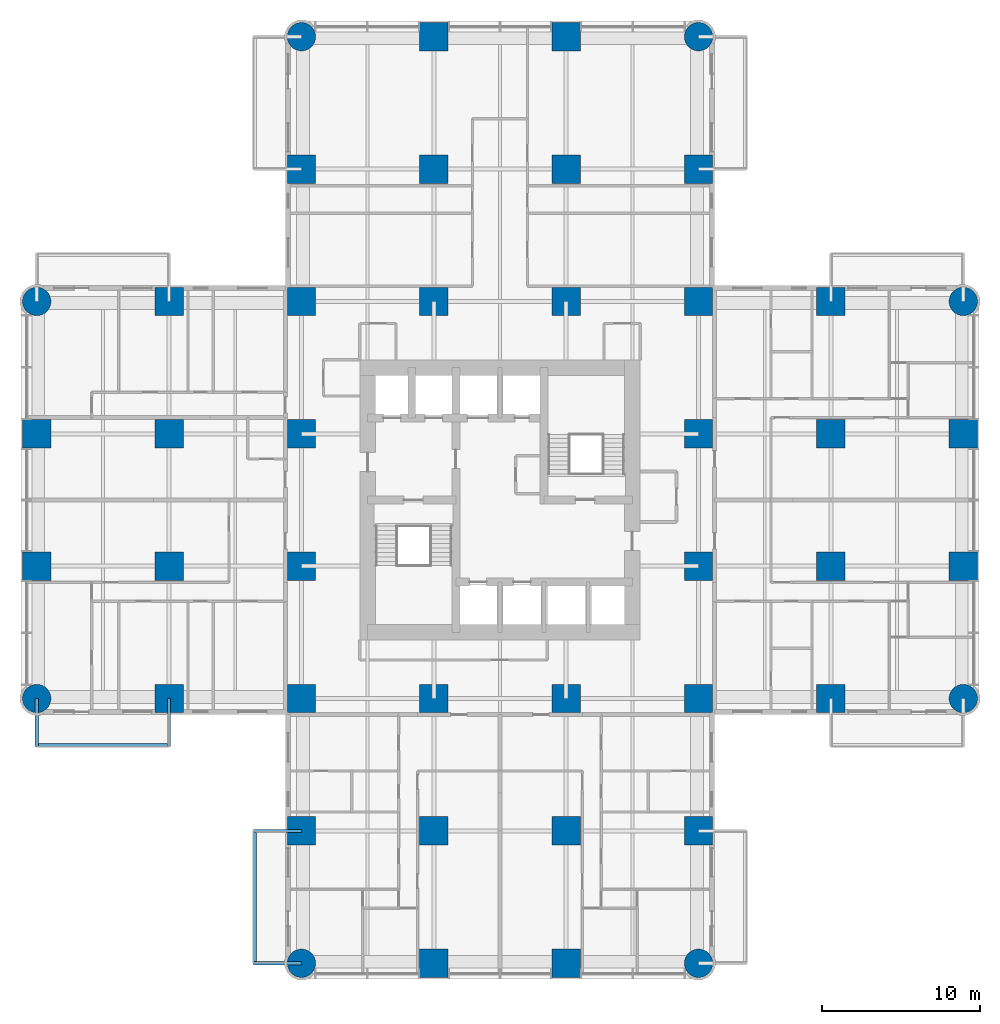
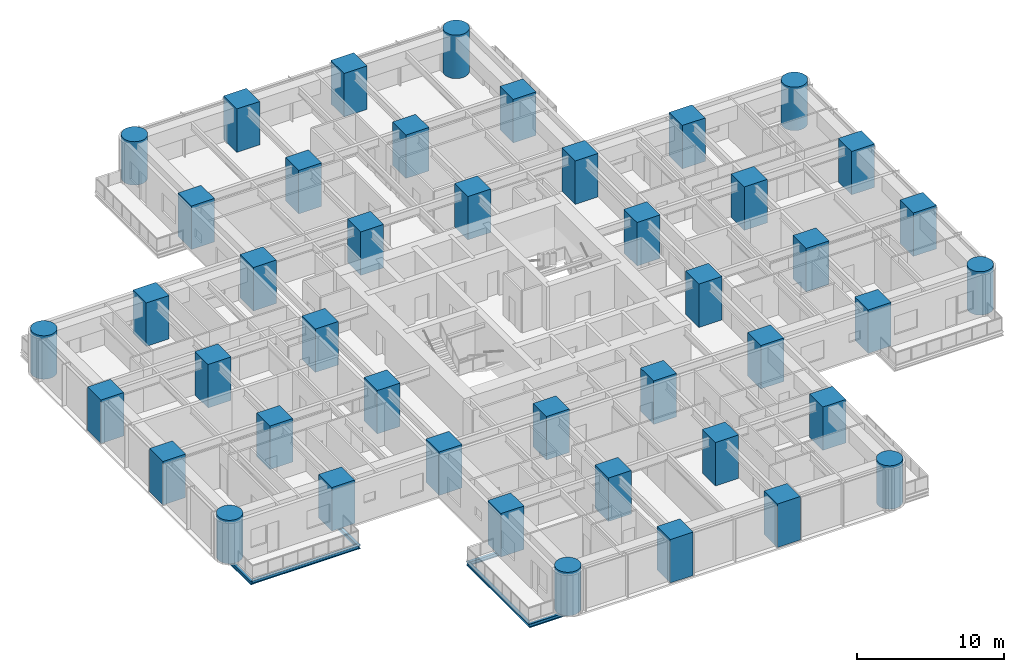
# One storey, part 1 of 17: 44 columns, 6 beams.
"""IFC4 building model written with IfcOpenShell, lengths in metres."""

from ifc_helpers import new_model, si_unit, direction, frame, origin, origin_2d, place, context, subcontext, project, spatial, rectangle, circle, i_section, extrude, material, material_profile, profile_set, type_object, element, save


model = new_model("IFC4")

# Units and contexts
model_context = context("Model", 3, precision=1e-05, world=origin(), true_north=direction((0.0, 1.0)))
body_context = subcontext(model_context, "Body", "Model", "MODEL_VIEW")
ifc_project = project(units=[si_unit("LENGTHUNIT", "METRE"), si_unit("AREAUNIT", "SQUARE_METRE"), si_unit("VOLUMEUNIT", "CUBIC_METRE"), si_unit("PLANEANGLEUNIT", "RADIAN"), si_unit("MASSUNIT", "GRAM", prefix="KILO")], contexts=[model_context])

# Site, building, storey
site_placement = place(None, origin())
site = spatial("IfcSite", under=ifc_project, at=site_placement, CompositionType="ELEMENT")
building_placement = place(site_placement, origin())
building = spatial("IfcBuilding", under=site, at=building_placement, Name="Torre Alcanfor", CompositionType="ELEMENT")
storey_placement = place(building_placement, frame((0.0, 0.0, 38.10009765625)))
storey = spatial("IfcBuildingStorey", under=building, at=storey_placement, Name="L08", CompositionType="ELEMENT", Elevation=38.10009765625)

# Columns
ifc_material_1 = material(Name="Concrete f'c 70 MPa", Category="concrete")
ifc_material_profile_1 = material_profile(ifc_material_1, rectangle(XDim=1.800048828125, YDim=1.800048828125, at=origin_2d()), Name="1800x1800")
ifc_profile_set_1 = profile_set([ifc_material_profile_1], Name="Concrete f'c 70 MPa")
column_type_1 = type_object("IfcColumnType", Name="RC column 1800x1800 f'c70", PredefinedType="COLUMN", material=ifc_profile_set_1)
for number, where, z_axis, x_axis, name in (
    (1, (0.0, 25.199951171875, 0.0), (0.0, 0.0, 1.0), (1.0, 0.0, 0.0), "Column 1/F L08"),
    (2, (0.0, 33.60009765625, 0.0), (0.0, 0.0, 1.0), (1.0, 0.0, 0.0), "Column 1/G L08"),
    (3, (8.39990234375, 16.800048828125, 0.0), (0.0, 0.0, 1.0), (1.0, 0.0, 0.0), "Column 2/E L08"),
    (4, (8.39990234375, 25.199951171875, 0.0), (0.0, 0.0, 1.0), (1.0, 0.0, 0.0), "Column 2/F L08"),
    (5, (8.39990234375, 33.60009765625, 0.0), (0.0, 0.0, 1.0), (1.0, 0.0, 0.0), "Column 2/G L08"),
    (6, (8.39990234375, 42.0, 0.0), (0.0, 0.0, 1.0), (1.0, 0.0, 0.0), "Column 2/H L08"),
    (7, (16.800048828125, 8.39990234375, 0.0), (0.0, 0.0, 1.0), (1.0, 0.0, 0.0), "Column 3/D L08"),
    (8, (16.800048828125, 16.800048828125, 0.0), (0.0, 0.0, 1.0), (1.0, 0.0, 0.0), "Column 3/E L08"),
    (9, (16.800048828125, 25.199951171875, 0.0), (0.0, 0.0, 1.0), (1.0, 0.0, 0.0), "Column 3/F L08"),
    (10, (16.800048828125, 33.60009765625, 0.0), (0.0, 0.0, 1.0), (1.0, 0.0, 0.0), "Column 3/G L08"),
    (11, (16.800048828125, 42.0, 0.0), (0.0, 0.0, 1.0), (1.0, 0.0, 0.0), "Column 3/H L08"),
    (12, (16.800048828125, 50.39990234375, 0.0), (0.0, 0.0, 1.0), (1.0, 0.0, 0.0), "Column 3/J L08"),
    (13, (25.199951171875, 0.0, 0.0), (0.0, 0.0, 1.0), (1.0, 0.0, 0.0), "Column 4/C L08"),
    (14, (25.199951171875, 8.39990234375, 0.0), (0.0, 0.0, 1.0), (1.0, 0.0, 0.0), "Column 4/D L08"),
    (15, (25.199951171875, 16.800048828125, 0.0), (0.0, 0.0, 1.0), (1.0, 0.0, 0.0), "Column 4/E L08"),
    (16, (25.199951171875, 42.0, 0.0), (0.0, 0.0, 1.0), (1.0, 0.0, 0.0), "Column 4/H L08"),
    (17, (25.199951171875, 50.39990234375, 0.0), (0.0, 0.0, 1.0), (1.0, 0.0, 0.0), "Column 4/J L08"),
    (18, (25.199951171875, 58.800048828125, 0.0), (0.0, 0.0, 1.0), (1.0, 0.0, 0.0), "Column 4/K L08"),
    (19, (33.60009765625, 0.0, 0.0), (0.0, 0.0, 1.0), (1.0, 0.0, 0.0), "Column 5/C L08"),
    (20, (33.60009765625, 8.39990234375, 0.0), (0.0, 0.0, 1.0), (1.0, 0.0, 0.0), "Column 5/D L08"),
    (21, (33.60009765625, 16.800048828125, 0.0), (0.0, 0.0, 1.0), (1.0, 0.0, 0.0), "Column 5/E L08"),
    (22, (33.60009765625, 42.0, 0.0), (0.0, 0.0, 1.0), (1.0, 0.0, 0.0), "Column 5/H L08"),
    (23, (33.60009765625, 50.39990234375, 0.0), (0.0, 0.0, 1.0), (1.0, 0.0, 0.0), "Column 5/J L08"),
    (24, (33.60009765625, 58.800048828125, 0.0), (0.0, 0.0, 1.0), (1.0, 0.0, 0.0), "Column 5/K L08"),
    (25, (42.0, 8.39990234375, 0.0), (0.0, 0.0, 1.0), (1.0, 0.0, 0.0), "Column 6/D L08"),
    (26, (42.0, 16.800048828125, 0.0), (0.0, 0.0, 1.0), (1.0, 0.0, 0.0), "Column 6/E L08"),
    (27, (42.0, 25.199951171875, 0.0), (0.0, 0.0, 1.0), (1.0, 0.0, 0.0), "Column 6/F L08"),
    (28, (42.0, 33.60009765625, 0.0), (0.0, 0.0, 1.0), (1.0, 0.0, 0.0), "Column 6/G L08"),
    (29, (42.0, 42.0, 0.0), (0.0, 0.0, 1.0), (1.0, 0.0, 0.0), "Column 6/H L08"),
    (30, (42.0, 50.39990234375, 0.0), (0.0, 0.0, 1.0), (1.0, 0.0, 0.0), "Column 6/J L08"),
    (31, (50.39990234375, 16.800048828125, 0.0), (0.0, 0.0, 1.0), (1.0, 0.0, 0.0), "Column 7/E L08"),
    (32, (50.39990234375, 25.199951171875, 0.0), (0.0, 0.0, 1.0), (1.0, 0.0, 0.0), "Column 7/F L08"),
    (33, (50.39990234375, 33.60009765625, 0.0), (0.0, 0.0, 1.0), (1.0, 0.0, 0.0), "Column 7/G L08"),
    (34, (50.39990234375, 42.0, 0.0), (0.0, 0.0, 1.0), (1.0, 0.0, 0.0), "Column 7/H L08"),
    (35, (58.800048828125, 25.199951171875, 0.0), (0.0, 0.0, 1.0), (1.0, 0.0, 0.0), "Column 8/F L08"),
    (36, (58.800048828125, 33.60009765625, 0.0), (0.0, 0.0, 1.0), (1.0, 0.0, 0.0), "Column 8/G L08"),
):
    element("IfcColumn", number, at=place(storey_placement, frame(where, z_axis=z_axis, x_axis=x_axis)), inside=storey, type_object=column_type_1, Name=name, PredefinedType="COLUMN", context=body_context, shape_type="SweptSolid", body=[
        extrude(rectangle(XDim=1.800048828125, YDim=1.800048828125, at=origin_2d()), origin(), (0.0, 0.0, 1.0), 3.599853515625),
    ])
ifc_material_2 = material(Name="Concrete f'c 70 MPa", Category="concrete")
ifc_material_profile_2 = material_profile(ifc_material_2, circle(Radius=0.89990234375, at=origin_2d()), Name="D1800")
ifc_profile_set_2 = profile_set([ifc_material_profile_2], Name="Concrete f'c 70 MPa")
column_type_2 = type_object("IfcColumnType", Name="RC column D1800 f'c70", PredefinedType="COLUMN", material=ifc_profile_set_2)
for number, where, z_axis, x_axis, name in (
    (37, (0.0, 16.800048828125, 0.0), (0.0, 0.0, 1.0), (1.0, 0.0, 0.0), "Column 1/E L08"),
    (38, (0.0, 42.0, 0.0), (0.0, 0.0, 1.0), (1.0, 0.0, 0.0), "Column 1/H L08"),
    (39, (16.800048828125, 0.0, 0.0), (0.0, 0.0, 1.0), (1.0, 0.0, 0.0), "Column 3/C L08"),
    (40, (16.800048828125, 58.800048828125, 0.0), (0.0, 0.0, 1.0), (1.0, 0.0, 0.0), "Column 3/K L08"),
    (41, (42.0, 0.0, 0.0), (0.0, 0.0, 1.0), (1.0, 0.0, 0.0), "Column 6/C L08"),
    (42, (42.0, 58.800048828125, 0.0), (0.0, 0.0, 1.0), (1.0, 0.0, 0.0), "Column 6/K L08"),
    (43, (58.800048828125, 16.800048828125, 0.0), (0.0, 0.0, 1.0), (1.0, 0.0, 0.0), "Column 8/E L08"),
    (44, (58.800048828125, 42.0, 0.0), (0.0, 0.0, 1.0), (1.0, 0.0, 0.0), "Column 8/H L08"),
):
    element("IfcColumn", number, at=place(storey_placement, frame(where, z_axis=z_axis, x_axis=x_axis)), inside=storey, type_object=column_type_2, Name=name, PredefinedType="COLUMN", context=body_context, shape_type="SweptSolid", body=[
        extrude(circle(Radius=0.89990234375, at=origin_2d()), origin(), (0.0, 0.0, 1.0), 3.599853515625),
    ])

# Beams
ifc_material_3 = material(Name="Steel ASTM A992 Grade 50", Category="steel")
ifc_material_profile_3 = material_profile(ifc_material_3, i_section(OverallWidth=0.205322265625, OverallDepth=0.309814453125, WebThickness=0.00927734375, FlangeThickness=0.016357421875, at=origin_2d()), Name="W12x50")
ifc_profile_set_3 = profile_set([ifc_material_profile_3], Name="Steel ASTM A992 Grade 50")
beam_type_1 = type_object("IfcBeamType", Name="Balcony cantilever beam W12x50", PredefinedType="BEAM", material=ifc_profile_set_3)
for number, where, z_axis, x_axis, name in (
    (45, (16.800048828125, 8.39990234375, -0.35498046875), (-1.0, 0.0, 0.0), (0.0, -1.0, 0.0), "Balcony cantilever beam L08-S2 1"),
    (46, (16.800048828125, 0.0, -0.35498046875), (-1.0, 0.0, 0.0), (0.0, -1.0, 0.0), "Balcony cantilever beam L08-S2 2"),
    (47, (8.39990234375, 16.800048828125, -0.35498046875), (0.0, -1.0, 0.0), (1.0, 0.0, 0.0), "Balcony cantilever beam L08-W1 1"),
    (48, (0.0, 16.800048828125, -0.35498046875), (0.0, -1.0, 0.0), (1.0, 0.0, 0.0), "Balcony cantilever beam L08-W1 2"),
):
    element("IfcBeam", number, at=place(storey_placement, frame(where, z_axis=z_axis, x_axis=x_axis)), inside=storey, type_object=beam_type_1, Name=name, PredefinedType="BEAM", context=body_context, shape_type="SweptSolid", body=[
        extrude(i_section(OverallWidth=0.205322265625, OverallDepth=0.309814453125, WebThickness=0.00927734375, FlangeThickness=0.016357421875, at=origin_2d()), origin(), (0.0, 0.0, 1.0), 3.050048828125),
    ])
ifc_material_4 = material(Name="Steel ASTM A992 Grade 50", Category="steel")
ifc_material_profile_4 = material_profile(ifc_material_4, i_section(OverallWidth=0.203369140625, OverallDepth=0.30224609375, WebThickness=0.007568359375, FlangeThickness=0.01318359375, at=origin_2d()), Name="W12x40")
ifc_profile_set_4 = profile_set([ifc_material_profile_4], Name="Steel ASTM A992 Grade 50")
beam_type_2 = type_object("IfcBeamType", Name="Balcony edge trimmer W12x40", PredefinedType="BEAM", material=ifc_profile_set_4)
for number, where, z_axis, x_axis, name in (
    (49, (13.851806640625, 8.39990234375, -0.351318359375), (0.0, -1.0, 0.0), (1.0, 0.0, 0.0), "Balcony edge trimmer L08-S2"),
    (50, (8.39990234375, 13.851806640625, -0.351318359375), (-1.0, 0.0, 0.0), (0.0, -1.0, 0.0), "Balcony edge trimmer L08-W1"),
):
    element("IfcBeam", number, at=place(storey_placement, frame(where, z_axis=z_axis, x_axis=x_axis)), inside=storey, type_object=beam_type_2, Name=name, PredefinedType="BEAM", context=body_context, shape_type="SweptSolid", body=[
        extrude(i_section(OverallWidth=0.203369140625, OverallDepth=0.30224609375, WebThickness=0.007568359375, FlangeThickness=0.01318359375, at=origin_2d()), origin(), (0.0, 0.0, 1.0), 8.39990234375),
    ])

save(model, "model.ifc")
